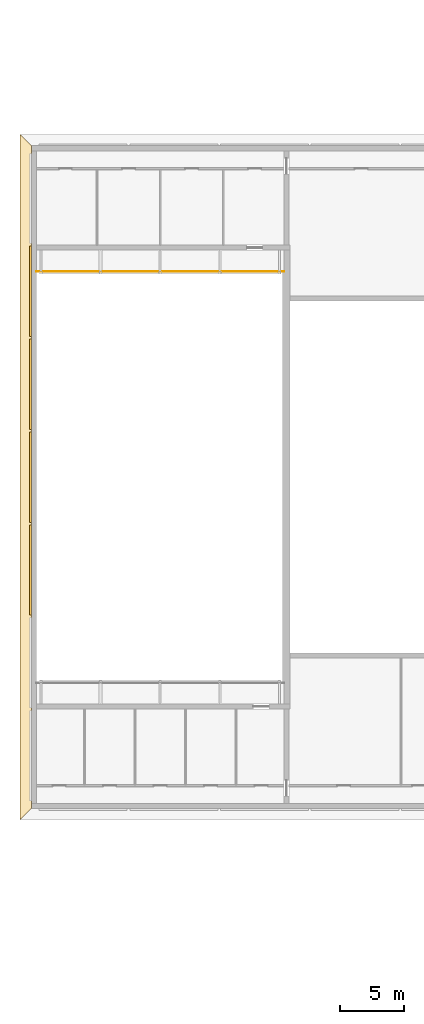
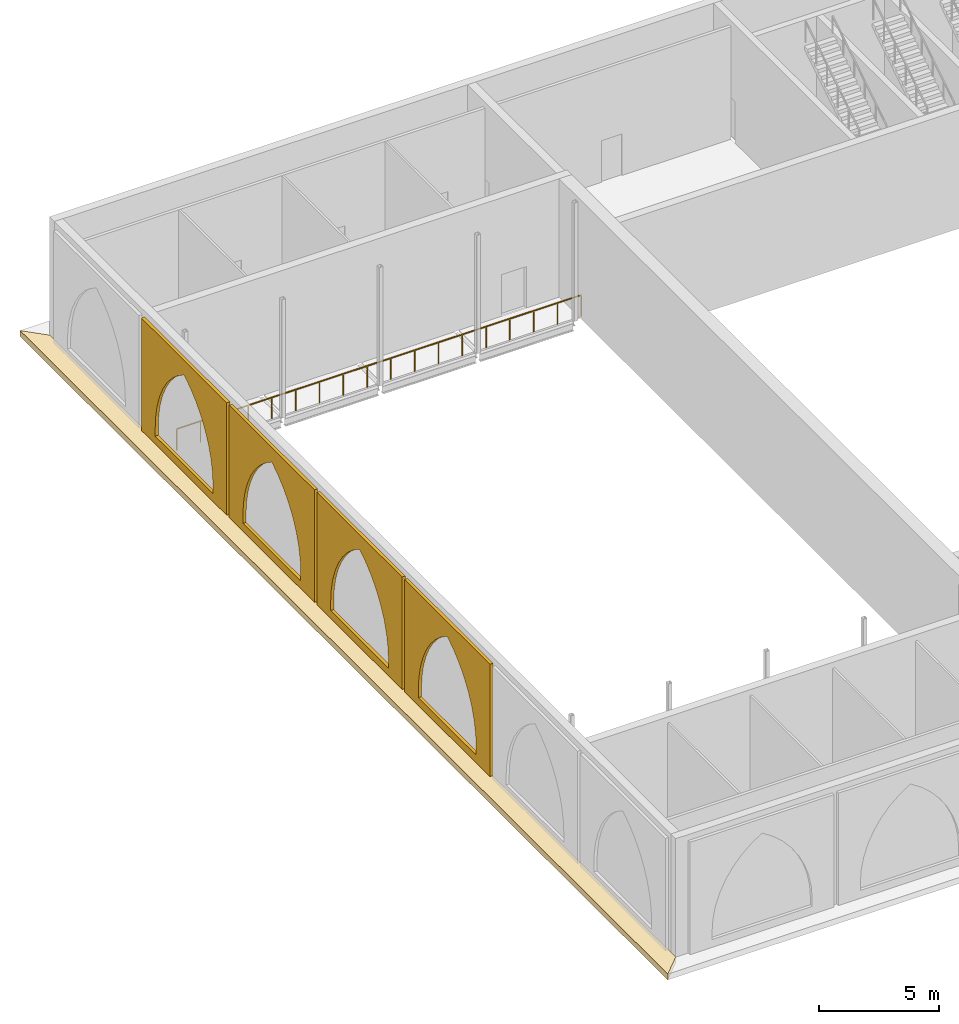
# One storey, part 31 of 74: 5 coverings, 1 railing.
"""IFC4 building model written with IfcOpenShell, lengths in metres."""

from ifc_helpers import new_model, si_unit, direction, frame, origin, origin_2d, place, context, subcontext, project, spatial, polyline, rectangle, outline, extrude, material, layer, layer_set, type_object, element, save


model = new_model("IFC4")

# Units and contexts
model_context = context("Model", 3, precision=1e-05, world=origin(), true_north=direction((0.0, 1.0)))
body_context = subcontext(model_context, "Body", "Model", "MODEL_VIEW")
ifc_project = project(units=[si_unit("LENGTHUNIT", "METRE"), si_unit("AREAUNIT", "SQUARE_METRE"), si_unit("VOLUMEUNIT", "CUBIC_METRE"), si_unit("PLANEANGLEUNIT", "RADIAN"), si_unit("MASSUNIT", "GRAM", prefix="KILO")], contexts=[model_context])

# Site, building, storey
site_placement = place(None, origin())
site = spatial("IfcSite", under=ifc_project, at=site_placement, CompositionType="ELEMENT")
building_placement = place(site_placement, origin())
building = spatial("IfcBuilding", under=site, at=building_placement, Name="Noorbagh Ring Tower", CompositionType="ELEMENT")
storey_placement = place(building_placement, frame((0.0, 0.0, 7.5)))
storey = spatial("IfcBuildingStorey", under=building, at=storey_placement, Name="L01", CompositionType="ELEMENT", Elevation=7.5)

# Coverings
ifc_material_1 = material(Name="Red sandstone cladding", Category="masonry")
ifc_layer = layer(ifc_material_1, 0.14990234375)
ifc_layer_set = layer_set([ifc_layer], Name="Red sandstone cladding")
covering_type_1 = type_object("IfcCoveringType", Name="STH-BLIND", PredefinedType="USERDEFINED", material=ifc_layer_set)
for number, where, z_axis, x_axis, name in (
    (1, (-160.14990234375, 23.1142578125, 0.0), (-1.0, 0.0, 0.0), (0.0, -1.0, 0.0), "Blind arch bay"),
    (2, (-160.14990234375, 15.82861328125, 0.0), (-1.0, 0.0, 0.0), (0.0, -1.0, 0.0), "Blind arch bay"),
):
    element("IfcCovering", number, at=place(storey_placement, frame(where, z_axis=z_axis, x_axis=x_axis)), inside=storey, type_object=covering_type_1, Name=name, ObjectType="ARCH", PredefinedType="USERDEFINED", context=body_context, shape_type="SweptSolid", body=[
        extrude(outline(polyline([(0.0, 0.0), (7.085693359375, 0.0), (7.085693359375, 5.699951171875), (0.0, 5.699951171875), (0.0, 0.0)]), holes=[polyline([(1.142822265625, 0.39990234375), (1.142822265625, 0.800048828125), (1.18408203125, 1.426513671875), (1.306396484375, 2.042236328125), (1.50830078125, 2.636962890625), (1.785888671875, 3.199951171875), (2.134765625, 3.72216796875), (2.548828125, 4.194091796875), (3.020751953125, 4.608154296875), (3.54296875, 4.956787109375), (4.06494140625, 4.608154296875), (4.537109375, 4.194091796875), (4.950927734375, 3.72216796875), (5.2998046875, 3.199951171875), (5.577392578125, 2.636962890625), (5.779296875, 2.042236328125), (5.90185546875, 1.426513671875), (5.94287109375, 0.800048828125), (5.94287109375, 0.39990234375), (1.142822265625, 0.39990234375)])]), origin(), (0.0, 0.0, -1.0), 0.14990234375),
    ])
covering_1_placement = place(storey_placement, frame((-160.14990234375, 8.54296875, 0.0), z_axis=(-1.0, 0.0, 0.0), x_axis=(0.0, -1.0, 0.0)))
element("IfcCovering", 3, at=covering_1_placement, inside=storey, type_object=covering_type_1, Name="Blind arch bay", ObjectType="ARCH", PredefinedType="USERDEFINED", context=body_context, shape_type="SweptSolid", body=[
    extrude(outline(polyline([(0.0, 0.0), (7.0859375, 0.0), (7.0859375, 5.699951171875), (0.0, 5.699951171875), (0.0, 0.0)]), holes=[polyline([(1.142822265625, 0.39990234375), (1.142822265625, 0.800048828125), (1.18408203125, 1.426513671875), (1.306396484375, 2.042236328125), (1.50830078125, 2.636962890625), (1.785888671875, 3.199951171875), (2.134765625, 3.72216796875), (2.548828125, 4.194091796875), (3.020751953125, 4.608154296875), (3.54296875, 4.956787109375), (4.06494140625, 4.608154296875), (4.537109375, 4.194091796875), (4.950927734375, 3.72216796875), (5.2998046875, 3.199951171875), (5.577392578125, 2.636962890625), (5.779296875, 2.042236328125), (5.90185546875, 1.426513671875), (5.94287109375, 0.800048828125), (5.94287109375, 0.39990234375), (1.142822265625, 0.39990234375)])]), origin(), (0.0, 0.0, -1.0), 0.14990234375),
])
covering_2_placement = place(storey_placement, frame((-160.14990234375, 1.257080078125, 0.0), z_axis=(-1.0, 0.0, 0.0), x_axis=(0.0, -1.0, 0.0)))
element("IfcCovering", 4, at=covering_2_placement, inside=storey, type_object=covering_type_1, Name="Blind arch bay", ObjectType="ARCH", PredefinedType="USERDEFINED", context=body_context, shape_type="SweptSolid", body=[
    extrude(outline(polyline([(0.0, 0.0), (7.085693359375, 0.0), (7.085693359375, 5.699951171875), (0.0, 5.699951171875), (0.0, 0.0)]), holes=[polyline([(1.142822265625, 0.39990234375), (1.142822265625, 0.800048828125), (1.18408203125, 1.426513671875), (1.306396484375, 2.042236328125), (1.50830078125, 2.636962890625), (1.785888671875, 3.199951171875), (2.134765625, 3.72216796875), (2.548828125, 4.194091796875), (3.020751953125, 4.608154296875), (3.54296875, 4.956787109375), (4.06494140625, 4.608154296875), (4.537109375, 4.194091796875), (4.950927734375, 3.72216796875), (5.2998046875, 3.199951171875), (5.577392578125, 2.636962890625), (5.779296875, 2.042236328125), (5.90185546875, 1.426513671875), (5.94287109375, 0.800048828125), (5.94287109375, 0.39990234375), (1.142822265625, 0.39990234375)])]), origin(), (0.0, 0.0, -1.0), 0.14990234375),
])
ifc_material_2 = material(Name="Red sandstone eave", Category="masonry")
covering_type_2 = type_object("IfcCoveringType", Name="STH-CHHAJJA", PredefinedType="USERDEFINED", material=ifc_material_2)
covering_3_placement = place(storey_placement, frame((0.0, 0.0, -0.300048828125)))
element("IfcCovering", 5, at=covering_3_placement, inside=storey, type_object=covering_type_2, Name="Chhajja eave", ObjectType="CHHAJJA", PredefinedType="USERDEFINED", context=body_context, shape_type="SweptSolid", body=[
    extrude(outline(polyline([(-160.0, -21.0), (-160.0, 31.0), (-160.89990234375, 31.89990234375), (-160.89990234375, -21.89990234375), (-160.0, -21.0)])), origin(), (0.0, 0.0, 1.0), 0.300048828125),
])

# Railing
ifc_material_3 = material(Name="Stainless steel", Category="steel")
railing_type = type_object("IfcRailingType", Name="TH-GUARD", PredefinedType="GUARDRAIL", material=ifc_material_3)
railing_placement = place(storey_placement, frame((-159.60009765625, 21.139892578125, 0.0)))
element("IfcRailing", 6, at=railing_placement, inside=storey, type_object=railing_type, Name="Fly gallery guard N", PredefinedType="GUARDRAIL", context=body_context, shape_type="SweptSolid", body=[
    extrude(rectangle(XDim=0.048095703125, YDim=0.048095703125, at=origin_2d()), frame((0.0, 0.0, 1.076171875), z_axis=(1.0, 0.0, 0.0), x_axis=(0.0, 1.0, 0.0)), (0.0, 0.0, 1.0), 19.400146484375),
    extrude(rectangle(XDim=0.0419921875, YDim=0.0419921875, at=origin_2d()), origin(), (0.0, 0.0, 1.0), 1.052001953125),
    extrude(rectangle(XDim=0.0419921875, YDim=0.0419921875, at=origin_2d()), frame((1.14111328125, 0.0, 0.0)), (0.0, 0.0, 1.0), 1.052001953125),
    extrude(rectangle(XDim=0.0419921875, YDim=0.0419921875, at=origin_2d()), frame((2.282470703125, 0.0, 0.0)), (0.0, 0.0, 1.0), 1.052001953125),
    extrude(rectangle(XDim=0.0419921875, YDim=0.0419921875, at=origin_2d()), frame((3.423583984375, 0.0, 0.0)), (0.0, 0.0, 1.0), 1.052001953125),
    extrude(rectangle(XDim=0.0419921875, YDim=0.0419921875, at=origin_2d()), frame((4.564697265625, 0.0, 0.0)), (0.0, 0.0, 1.0), 1.052001953125),
    extrude(rectangle(XDim=0.0419921875, YDim=0.0419921875, at=origin_2d()), frame((5.705810546875, 0.0, 0.0)), (0.0, 0.0, 1.0), 1.052001953125),
    extrude(rectangle(XDim=0.0419921875, YDim=0.0419921875, at=origin_2d()), frame((6.84716796875, 0.0, 0.0)), (0.0, 0.0, 1.0), 1.052001953125),
    extrude(rectangle(XDim=0.0419921875, YDim=0.0419921875, at=origin_2d()), frame((7.98828125, 0.0, 0.0)), (0.0, 0.0, 1.0), 1.052001953125),
    extrude(rectangle(XDim=0.0419921875, YDim=0.0419921875, at=origin_2d()), frame((9.12939453125, 0.0, 0.0)), (0.0, 0.0, 1.0), 1.052001953125),
    extrude(rectangle(XDim=0.0419921875, YDim=0.0419921875, at=origin_2d()), frame((10.270751953125, 0.0, 0.0)), (0.0, 0.0, 1.0), 1.052001953125),
    extrude(rectangle(XDim=0.0419921875, YDim=0.0419921875, at=origin_2d()), frame((11.411865234375, 0.0, 0.0)), (0.0, 0.0, 1.0), 1.052001953125),
    extrude(rectangle(XDim=0.0419921875, YDim=0.0419921875, at=origin_2d()), frame((12.552978515625, 0.0, 0.0)), (0.0, 0.0, 1.0), 1.052001953125),
    extrude(rectangle(XDim=0.0419921875, YDim=0.0419921875, at=origin_2d()), frame((13.6943359375, 0.0, 0.0)), (0.0, 0.0, 1.0), 1.052001953125),
    extrude(rectangle(XDim=0.0419921875, YDim=0.0419921875, at=origin_2d()), frame((14.83544921875, 0.0, 0.0)), (0.0, 0.0, 1.0), 1.052001953125),
    extrude(rectangle(XDim=0.0419921875, YDim=0.0419921875, at=origin_2d()), frame((15.9765625, 0.0, 0.0)), (0.0, 0.0, 1.0), 1.052001953125),
    extrude(rectangle(XDim=0.0419921875, YDim=0.0419921875, at=origin_2d()), frame((17.11767578125, 0.0, 0.0)), (0.0, 0.0, 1.0), 1.052001953125),
    extrude(rectangle(XDim=0.0419921875, YDim=0.0419921875, at=origin_2d()), frame((18.259033203125, 0.0, 0.0)), (0.0, 0.0, 1.0), 1.052001953125),
    extrude(rectangle(XDim=0.0419921875, YDim=0.0419921875, at=origin_2d()), frame((19.400146484375, 0.0, 0.0)), (0.0, 0.0, 1.0), 1.052001953125),
])

save(model, "model.ifc")
